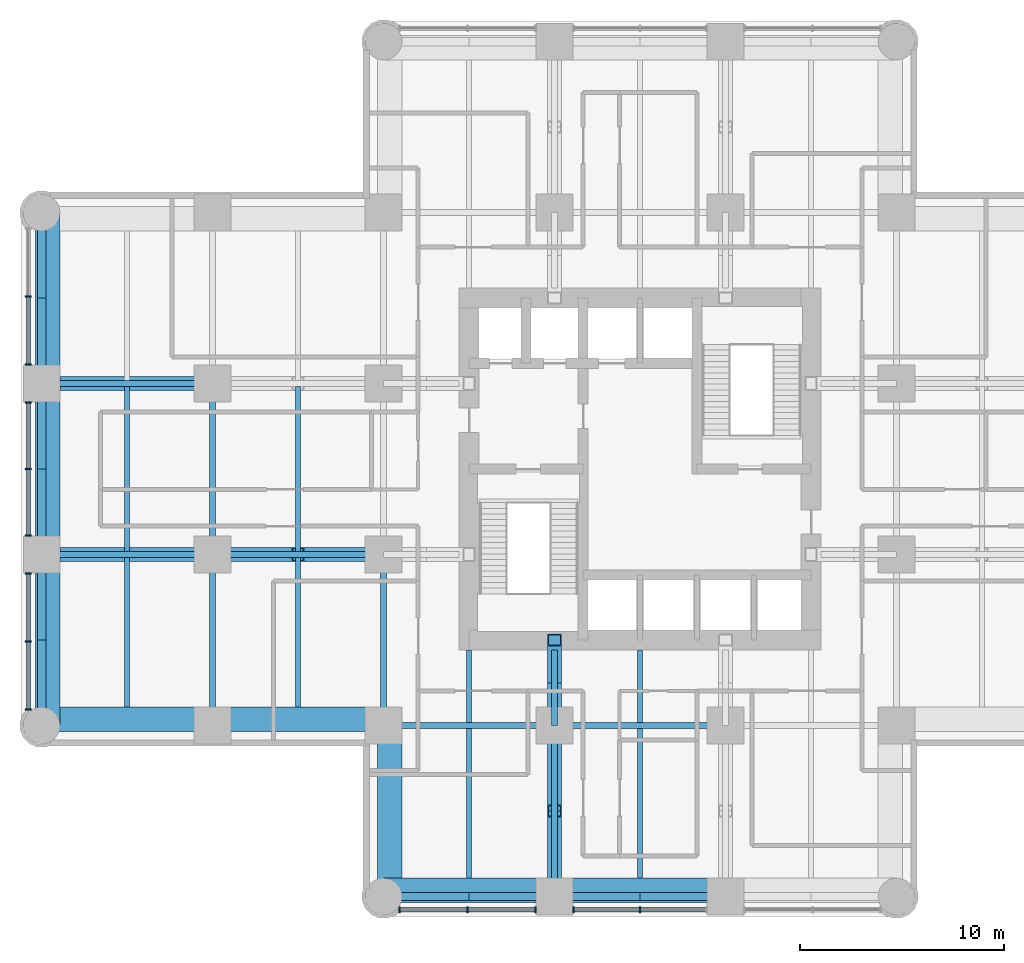
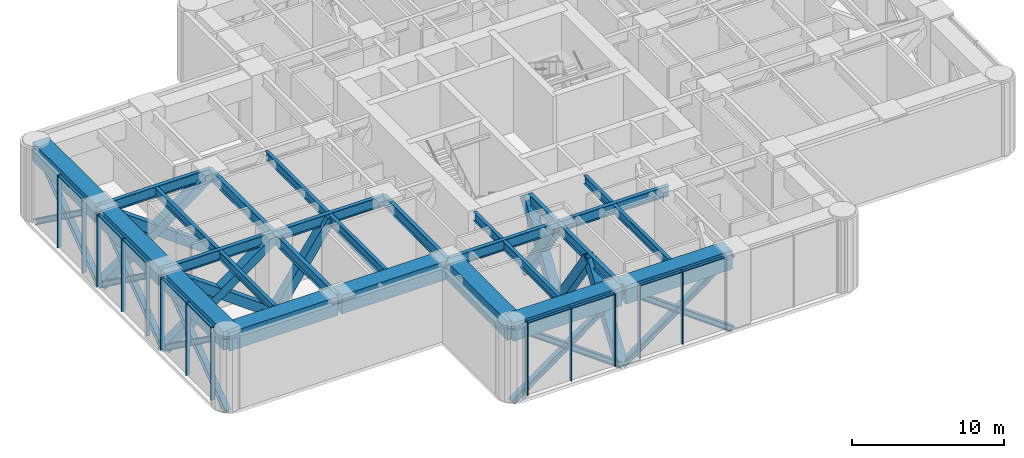
# One storey, part 2 of 13: 42 members, 26 beams, 2 elements without a shape of their own.
"""IFC4 building model written with IfcOpenShell, lengths in metres."""

from ifc_helpers import new_model, si_unit, direction, frame, origin, origin_2d, place, context, subcontext, project, spatial, rectangle, hollow_rectangle, i_section, extrude, material, material_profile, profile_set, type_object, element, aggregate, save


model = new_model("IFC4")

# Units and contexts
model_context = context("Model", 3, precision=1e-05, world=origin(), true_north=direction((0.0, 1.0)))
body_context = subcontext(model_context, "Body", "Model", "MODEL_VIEW")
ifc_project = project(units=[si_unit("LENGTHUNIT", "METRE"), si_unit("AREAUNIT", "SQUARE_METRE"), si_unit("VOLUMEUNIT", "CUBIC_METRE"), si_unit("PLANEANGLEUNIT", "RADIAN"), si_unit("MASSUNIT", "GRAM", prefix="KILO")], contexts=[model_context])

# Site, building, storey
site_placement = place(None, origin())
site = spatial("IfcSite", under=ifc_project, at=site_placement, CompositionType="ELEMENT")
building_placement = place(site_placement, origin())
building = spatial("IfcBuilding", under=site, at=building_placement, Name="Torre Alcanfor", CompositionType="ELEMENT")
storey_placement = place(building_placement, frame((0.0, 0.0, 177.300048828125)))
storey = spatial("IfcBuildingStorey", under=building, at=storey_placement, Name="L46", CompositionType="ELEMENT", Elevation=177.300048828125)

# Members
ifc_material_1 = material(Name="Steel ASTM A992 Grade 50", Category="steel")
ifc_material_profile_1 = material_profile(ifc_material_1, i_section(OverallWidth=0.411376953125, OverallDepth=0.434326171875, WebThickness=0.035888671875, FlangeThickness=0.057373046875, at=origin_2d()), Name="W14x311")
ifc_profile_set_1 = profile_set([ifc_material_profile_1], Name="Steel ASTM A992 Grade 50")
member_type_1 = type_object("IfcMemberType", Name="Belt truss diagonal W14x311", PredefinedType="BRACE", material=ifc_profile_set_1)
for number, where, z_axis, x_axis, name in (
    (1, (16.800048828125, 8.39990234375, -0.650146484375), (0.809144712888, 0.0, 0.587609422665), (0.0, 1.0, 0.0), "Belt truss L46 S arm panel 1 diagonal A"),
    (2, (25.199951171875, 8.39990234375, -0.650146484375), (-0.809144712888, 0.0, 0.587609422665), (0.0, -1.0, 0.0), "Belt truss L46 S arm panel 1 diagonal B"),
):
    element("IfcMember", number, at=place(storey_placement, frame(where, z_axis=z_axis, x_axis=x_axis)), inside=storey, type_object=member_type_1, Name=name, PredefinedType="BRACE", context=body_context, shape_type="SweptSolid", body=[
        extrude(i_section(OverallWidth=0.411376953125, OverallDepth=0.434326171875, WebThickness=0.035888671875, FlangeThickness=0.057373046875, at=origin_2d()), origin(), (0.0, 0.0, 1.0), 10.381103515625),
    ])
for number, where, z_axis, x_axis, name in (
    (3, (25.199951171875, 8.39990234375, -0.650146484375), (0.809152832909, 0.0, 0.587598241144), (0.0, 1.0, 0.0), "Belt truss L46 S arm panel 2 diagonal A"),
    (4, (33.60009765625, 8.39990234375, -0.650146484375), (-0.809152832909, 0.0, 0.587598241144), (0.0, -1.0, 0.0), "Belt truss L46 S arm panel 2 diagonal B"),
):
    element("IfcMember", number, at=place(storey_placement, frame(where, z_axis=z_axis, x_axis=x_axis)), inside=storey, type_object=member_type_1, Name=name, PredefinedType="BRACE", context=body_context, shape_type="SweptSolid", body=[
        extrude(i_section(OverallWidth=0.411376953125, OverallDepth=0.434326171875, WebThickness=0.035888671875, FlangeThickness=0.057373046875, at=origin_2d()), origin(), (0.0, 0.0, 1.0), 10.38134765625),
    ])
for number, where, z_axis, x_axis, name in (
    (5, (0.0, 16.800048828125, -0.650146484375), (0.0, 0.809144712888, 0.587609422665), (-1.0, 0.0, 0.0), "Belt truss L46 W arm panel 1 diagonal A"),
    (6, (0.0, 25.199951171875, -0.650146484375), (0.0, -0.809144712888, 0.587609422665), (1.0, 0.0, 0.0), "Belt truss L46 W arm panel 1 diagonal B"),
):
    element("IfcMember", number, at=place(storey_placement, frame(where, z_axis=z_axis, x_axis=x_axis)), inside=storey, type_object=member_type_1, Name=name, PredefinedType="BRACE", context=body_context, shape_type="SweptSolid", body=[
        extrude(i_section(OverallWidth=0.411376953125, OverallDepth=0.434326171875, WebThickness=0.035888671875, FlangeThickness=0.057373046875, at=origin_2d()), origin(), (0.0, 0.0, 1.0), 10.381103515625),
    ])
for number, where, z_axis, x_axis, name in (
    (7, (0.0, 25.199951171875, -0.650146484375), (0.0, 0.809152832909, 0.587598241144), (-1.0, 0.0, 0.0), "Belt truss L46 W arm panel 2 diagonal A"),
    (8, (0.0, 33.60009765625, -0.650146484375), (0.0, -0.809152832909, 0.587598241144), (1.0, 0.0, 0.0), "Belt truss L46 W arm panel 2 diagonal B"),
):
    element("IfcMember", number, at=place(storey_placement, frame(where, z_axis=z_axis, x_axis=x_axis)), inside=storey, type_object=member_type_1, Name=name, PredefinedType="BRACE", context=body_context, shape_type="SweptSolid", body=[
        extrude(i_section(OverallWidth=0.411376953125, OverallDepth=0.434326171875, WebThickness=0.035888671875, FlangeThickness=0.057373046875, at=origin_2d()), origin(), (0.0, 0.0, 1.0), 10.38134765625),
    ])
for number, where, z_axis, x_axis, name in (
    (9, (0.0, 33.60009765625, -0.650146484375), (0.0, 0.809144712888, 0.587609422665), (-1.0, 0.0, 0.0), "Belt truss L46 W arm panel 3 diagonal A"),
    (10, (0.0, 42.0, -0.650146484375), (0.0, -0.809144712888, 0.587609422665), (1.0, 0.0, 0.0), "Belt truss L46 W arm panel 3 diagonal B"),
):
    element("IfcMember", number, at=place(storey_placement, frame(where, z_axis=z_axis, x_axis=x_axis)), inside=storey, type_object=member_type_1, Name=name, PredefinedType="BRACE", context=body_context, shape_type="SweptSolid", body=[
        extrude(i_section(OverallWidth=0.411376953125, OverallDepth=0.434326171875, WebThickness=0.035888671875, FlangeThickness=0.057373046875, at=origin_2d()), origin(), (0.0, 0.0, 1.0), 10.381103515625),
    ])

# Curtain wall, members
ifc_material_2 = material(Name="Aluminium and glass", Category="aluminium")
curtain_wall_type = type_object("IfcCurtainWallType", Name="CW-D plant floor louvre screen", PredefinedType="NOTDEFINED", material=ifc_material_2)
curtain_wall_1_placement = place(storey_placement, origin())
curtain_wall_1 = element("IfcCurtainWall", 11, at=curtain_wall_1_placement, inside=storey, type_object=curtain_wall_type, Name="Curtain wall CW-D L46 2", PredefinedType="NOTDEFINED")
ifc_material_3 = material(Name="Extruded aluminium", Category="aluminium")
ifc_material_profile_2 = material_profile(ifc_material_3, rectangle(XDim=0.300048828125, YDim=0.06494140625, at=origin_2d()), Name="CW-D mullion 65x300")
ifc_profile_set_2 = profile_set([ifc_material_profile_2], Name="Extruded aluminium")
member_type_2 = type_object("IfcMemberType", Name="CW-D mullion 65x300", PredefinedType="MULLION", material=ifc_profile_set_2)
member_1_placement = place(storey_placement, frame((-0.64990234375, 37.875244140625, 0.0), z_axis=(0.0, 0.0, 1.0), x_axis=(1.0, 0.0, 0.0)))
member_1 = element("IfcMember", 12, at=member_1_placement, type_object=member_type_2, Name="CW-D mullion 1.2", PredefinedType="MULLION", context=body_context, shape_type="SweptSolid", body=[
    extrude(rectangle(XDim=0.300048828125, YDim=0.06494140625, at=origin_2d()), origin(), (0.0, 0.0, 1.0), 5.849853515625),
])
member_2_placement = place(storey_placement, frame((-0.64990234375, 34.53759765625, 0.0), z_axis=(0.0, 0.0, 1.0), x_axis=(1.0, 0.0, 0.0)))
member_2 = element("IfcMember", 13, at=member_2_placement, type_object=member_type_2, Name="CW-D mullion 1.3", PredefinedType="MULLION", context=body_context, shape_type="SweptSolid", body=[
    extrude(rectangle(XDim=0.300048828125, YDim=0.06494140625, at=origin_2d()), origin(), (0.0, 0.0, 1.0), 5.849853515625),
])
member_3_placement = place(storey_placement, frame((-0.64990234375, 32.66259765625, 0.0), z_axis=(0.0, 0.0, 1.0), x_axis=(1.0, 0.0, 0.0)))
member_3 = element("IfcMember", 14, at=member_3_placement, type_object=member_type_2, Name="CW-D mullion 2.1", PredefinedType="MULLION", context=body_context, shape_type="SweptSolid", body=[
    extrude(rectangle(XDim=0.300048828125, YDim=0.06494140625, at=origin_2d()), origin(), (0.0, 0.0, 1.0), 5.849853515625),
])
member_4_placement = place(storey_placement, frame((-0.64990234375, 29.39990234375, 0.0), z_axis=(0.0, 0.0, 1.0), x_axis=(1.0, 0.0, 0.0)))
member_4 = element("IfcMember", 15, at=member_4_placement, type_object=member_type_2, Name="CW-D mullion 2.2", PredefinedType="MULLION", context=body_context, shape_type="SweptSolid", body=[
    extrude(rectangle(XDim=0.300048828125, YDim=0.06494140625, at=origin_2d()), origin(), (0.0, 0.0, 1.0), 5.849853515625),
])
member_5_placement = place(storey_placement, frame((-0.64990234375, 26.137451171875, 0.0), z_axis=(0.0, 0.0, 1.0), x_axis=(1.0, 0.0, 0.0)))
member_5 = element("IfcMember", 16, at=member_5_placement, type_object=member_type_2, Name="CW-D mullion 2.3", PredefinedType="MULLION", context=body_context, shape_type="SweptSolid", body=[
    extrude(rectangle(XDim=0.300048828125, YDim=0.06494140625, at=origin_2d()), origin(), (0.0, 0.0, 1.0), 5.849853515625),
])
member_6_placement = place(storey_placement, frame((-0.64990234375, 24.262451171875, 0.0), z_axis=(0.0, 0.0, 1.0), x_axis=(1.0, 0.0, 0.0)))
member_6 = element("IfcMember", 17, at=member_6_placement, type_object=member_type_2, Name="CW-D mullion 3.1", PredefinedType="MULLION", context=body_context, shape_type="SweptSolid", body=[
    extrude(rectangle(XDim=0.300048828125, YDim=0.06494140625, at=origin_2d()), origin(), (0.0, 0.0, 1.0), 5.849853515625),
])
member_7_placement = place(storey_placement, frame((-0.64990234375, 20.924560546875, 0.0), z_axis=(0.0, 0.0, 1.0), x_axis=(1.0, 0.0, 0.0)))
member_7 = element("IfcMember", 18, at=member_7_placement, type_object=member_type_2, Name="CW-D mullion 3.2", PredefinedType="MULLION", context=body_context, shape_type="SweptSolid", body=[
    extrude(rectangle(XDim=0.300048828125, YDim=0.06494140625, at=origin_2d()), origin(), (0.0, 0.0, 1.0), 5.849853515625),
])
member_8_placement = place(storey_placement, frame((-0.64990234375, 17.5869140625, 0.0), z_axis=(0.0, 0.0, 1.0), x_axis=(1.0, 0.0, 0.0)))
member_8 = element("IfcMember", 19, at=member_8_placement, type_object=member_type_2, Name="CW-D mullion 3.3", PredefinedType="MULLION", context=body_context, shape_type="SweptSolid", body=[
    extrude(rectangle(XDim=0.300048828125, YDim=0.06494140625, at=origin_2d()), origin(), (0.0, 0.0, 1.0), 5.849853515625),
])

curtain_wall_2_placement = place(storey_placement, origin())
curtain_wall_2 = element("IfcCurtainWall", 20, at=curtain_wall_2_placement, inside=storey, type_object=curtain_wall_type, Name="Curtain wall CW-D L46 5", PredefinedType="NOTDEFINED")
member_9_placement = place(storey_placement, frame((17.5869140625, 7.75, 0.0), z_axis=(0.0, 0.0, 1.0), x_axis=(0.0, 1.0, 0.0)))
member_9 = element("IfcMember", 21, at=member_9_placement, type_object=member_type_2, Name="CW-D mullion 1.1", PredefinedType="MULLION", context=body_context, shape_type="SweptSolid", body=[
    extrude(rectangle(XDim=0.300048828125, YDim=0.06494140625, at=origin_2d()), origin(), (0.0, 0.0, 1.0), 5.849853515625),
])
member_10_placement = place(storey_placement, frame((20.924560546875, 7.75, 0.0), z_axis=(0.0, 0.0, 1.0), x_axis=(0.0, 1.0, 0.0)))
member_10 = element("IfcMember", 22, at=member_10_placement, type_object=member_type_2, Name="CW-D mullion 1.2", PredefinedType="MULLION", context=body_context, shape_type="SweptSolid", body=[
    extrude(rectangle(XDim=0.300048828125, YDim=0.06494140625, at=origin_2d()), origin(), (0.0, 0.0, 1.0), 5.849853515625),
])
member_11_placement = place(storey_placement, frame((24.262451171875, 7.75, 0.0), z_axis=(0.0, 0.0, 1.0), x_axis=(0.0, 1.0, 0.0)))
member_11 = element("IfcMember", 23, at=member_11_placement, type_object=member_type_2, Name="CW-D mullion 1.3", PredefinedType="MULLION", context=body_context, shape_type="SweptSolid", body=[
    extrude(rectangle(XDim=0.300048828125, YDim=0.06494140625, at=origin_2d()), origin(), (0.0, 0.0, 1.0), 5.849853515625),
])
member_12_placement = place(storey_placement, frame((26.137451171875, 7.75, 0.0), z_axis=(0.0, 0.0, 1.0), x_axis=(0.0, 1.0, 0.0)))
member_12 = element("IfcMember", 24, at=member_12_placement, type_object=member_type_2, Name="CW-D mullion 2.1", PredefinedType="MULLION", context=body_context, shape_type="SweptSolid", body=[
    extrude(rectangle(XDim=0.300048828125, YDim=0.06494140625, at=origin_2d()), origin(), (0.0, 0.0, 1.0), 5.849853515625),
])
member_13_placement = place(storey_placement, frame((29.39990234375, 7.75, 0.0), z_axis=(0.0, 0.0, 1.0), x_axis=(0.0, 1.0, 0.0)))
member_13 = element("IfcMember", 25, at=member_13_placement, type_object=member_type_2, Name="CW-D mullion 2.2", PredefinedType="MULLION", context=body_context, shape_type="SweptSolid", body=[
    extrude(rectangle(XDim=0.300048828125, YDim=0.06494140625, at=origin_2d()), origin(), (0.0, 0.0, 1.0), 5.849853515625),
])

# Member
ifc_material_4 = material(Name="Extruded aluminium", Category="aluminium")
ifc_material_profile_3 = material_profile(ifc_material_4, rectangle(XDim=0.199951171875, YDim=0.06494140625, at=origin_2d()), Name="CW-D transom 200x65")
ifc_profile_set_3 = profile_set([ifc_material_profile_3], Name="Extruded aluminium")
member_type_3 = type_object("IfcMemberType", Name="CW-D transom 65x200", PredefinedType="USERDEFINED", material=ifc_profile_set_3)
member_14_placement = place(storey_placement, frame((-0.64990234375, 37.8427734375, 5.8173828125), z_axis=(0.0, -1.0, 0.0), x_axis=(1.0, 0.0, 0.0)))
member_14 = element("IfcMember", 26, at=member_14_placement, type_object=member_type_3, Name="CW-D transom 1.2.2", ObjectType="TRANSOM", PredefinedType="USERDEFINED", context=body_context, shape_type="SweptSolid", body=[
    extrude(rectangle(XDim=0.199951171875, YDim=0.06494140625, at=origin_2d()), origin(), (0.0, 0.0, 1.0), 3.272705078125),
])

member_15_placement = place(storey_placement, frame((-0.64990234375, 32.6298828125, 5.8173828125), z_axis=(0.0, -1.0, 0.0), x_axis=(1.0, 0.0, 0.0)))
member_15 = element("IfcMember", 27, at=member_15_placement, type_object=member_type_3, Name="CW-D transom 2.1.2", ObjectType="TRANSOM", PredefinedType="USERDEFINED", context=body_context, shape_type="SweptSolid", body=[
    extrude(rectangle(XDim=0.199951171875, YDim=0.06494140625, at=origin_2d()), origin(), (0.0, 0.0, 1.0), 3.197265625),
])

member_16_placement = place(storey_placement, frame((-0.64990234375, 29.367431640625, 5.8173828125), z_axis=(0.0, -1.0, 0.0), x_axis=(1.0, 0.0, 0.0)))
member_16 = element("IfcMember", 28, at=member_16_placement, type_object=member_type_3, Name="CW-D transom 2.2.2", ObjectType="TRANSOM", PredefinedType="USERDEFINED", context=body_context, shape_type="SweptSolid", body=[
    extrude(rectangle(XDim=0.199951171875, YDim=0.06494140625, at=origin_2d()), origin(), (0.0, 0.0, 1.0), 3.197509765625),
])

member_17_placement = place(storey_placement, frame((-0.64990234375, 24.22998046875, 5.8173828125), z_axis=(0.0, -1.0, 0.0), x_axis=(1.0, 0.0, 0.0)))
member_17 = element("IfcMember", 29, at=member_17_placement, type_object=member_type_3, Name="CW-D transom 3.1.2", ObjectType="TRANSOM", PredefinedType="USERDEFINED", context=body_context, shape_type="SweptSolid", body=[
    extrude(rectangle(XDim=0.199951171875, YDim=0.06494140625, at=origin_2d()), origin(), (0.0, 0.0, 1.0), 3.27294921875),
])

member_18_placement = place(storey_placement, frame((-0.64990234375, 20.89208984375, 5.8173828125), z_axis=(0.0, -1.0, 0.0), x_axis=(1.0, 0.0, 0.0)))
member_18 = element("IfcMember", 30, at=member_18_placement, type_object=member_type_3, Name="CW-D transom 3.2.2", ObjectType="TRANSOM", PredefinedType="USERDEFINED", context=body_context, shape_type="SweptSolid", body=[
    extrude(rectangle(XDim=0.199951171875, YDim=0.06494140625, at=origin_2d()), origin(), (0.0, 0.0, 1.0), 3.272705078125),
])

aggregate(curtain_wall_1, [member_1, member_2, member_14, member_3, member_4, member_5, member_15, member_16, member_6, member_7, member_8, member_17, member_18])

member_19_placement = place(storey_placement, frame((17.619384765625, 7.75, 5.8173828125), z_axis=(1.0, 0.0, 0.0), x_axis=(0.0, 1.0, 0.0)))
member_19 = element("IfcMember", 31, at=member_19_placement, type_object=member_type_3, Name="CW-D transom 1.1.2", ObjectType="TRANSOM", PredefinedType="USERDEFINED", context=body_context, shape_type="SweptSolid", body=[
    extrude(rectangle(XDim=0.199951171875, YDim=0.06494140625, at=origin_2d()), origin(), (0.0, 0.0, 1.0), 3.272705078125),
])

member_20_placement = place(storey_placement, frame((20.95703125, 7.75, 5.8173828125), z_axis=(1.0, 0.0, 0.0), x_axis=(0.0, 1.0, 0.0)))
member_20 = element("IfcMember", 32, at=member_20_placement, type_object=member_type_3, Name="CW-D transom 1.2.2", ObjectType="TRANSOM", PredefinedType="USERDEFINED", context=body_context, shape_type="SweptSolid", body=[
    extrude(rectangle(XDim=0.199951171875, YDim=0.06494140625, at=origin_2d()), origin(), (0.0, 0.0, 1.0), 3.27294921875),
])

member_21_placement = place(storey_placement, frame((26.169921875, 7.75, 5.8173828125), z_axis=(1.0, 0.0, 0.0), x_axis=(0.0, 1.0, 0.0)))
member_21 = element("IfcMember", 33, at=member_21_placement, type_object=member_type_3, Name="CW-D transom 2.1.2", ObjectType="TRANSOM", PredefinedType="USERDEFINED", context=body_context, shape_type="SweptSolid", body=[
    extrude(rectangle(XDim=0.199951171875, YDim=0.06494140625, at=origin_2d()), origin(), (0.0, 0.0, 1.0), 3.197509765625),
])

member_22_placement = place(storey_placement, frame((29.4326171875, 7.75, 5.8173828125), z_axis=(1.0, 0.0, 0.0), x_axis=(0.0, 1.0, 0.0)))
member_22 = element("IfcMember", 34, at=member_22_placement, type_object=member_type_3, Name="CW-D transom 2.2.2", ObjectType="TRANSOM", PredefinedType="USERDEFINED", context=body_context, shape_type="SweptSolid", body=[
    extrude(rectangle(XDim=0.199951171875, YDim=0.06494140625, at=origin_2d()), origin(), (0.0, 0.0, 1.0), 3.197265625),
])

aggregate(curtain_wall_2, [member_9, member_10, member_11, member_19, member_20, member_12, member_13, member_21, member_22])

# Beams
ifc_material_5 = material(Name="Steel ASTM A992 Grade 50", Category="steel")
ifc_material_profile_4 = material_profile(ifc_material_5, i_section(OverallWidth=0.2919921875, OverallDepth=0.8408203125, WebThickness=0.0146484375, FlangeThickness=0.021728515625, at=origin_2d()), Name="W33x130")
ifc_profile_set_4 = profile_set([ifc_material_profile_4], Name="Steel ASTM A992 Grade 50")
beam_type_1 = type_object("IfcBeamType", Name="Girder W33x130", PredefinedType="BEAM", material=ifc_profile_set_4)
beam_1_placement = place(storey_placement, frame((16.800048828125, 16.800048828125, 5.4296875), z_axis=(1.0, 0.0, 0.0), x_axis=(0.0, 1.0, 0.0)))
element("IfcBeam", 35, at=beam_1_placement, inside=storey, type_object=beam_type_1, Name="Beam 3E-4E under L47", PredefinedType="BEAM", context=body_context, shape_type="SweptSolid", body=[
    extrude(i_section(OverallWidth=0.2919921875, OverallDepth=0.8408203125, WebThickness=0.0146484375, FlangeThickness=0.021728515625, at=origin_2d()), origin(), (0.0, 0.0, 1.0), 8.39990234375),
])
beam_2_placement = place(storey_placement, frame((25.199951171875, 16.800048828125, 5.4296875), z_axis=(1.0, 0.0, 0.0), x_axis=(0.0, 1.0, 0.0)))
element("IfcBeam", 36, at=beam_2_placement, inside=storey, type_object=beam_type_1, Name="Beam 4E-5E under L47", PredefinedType="BEAM", context=body_context, shape_type="SweptSolid", body=[
    extrude(i_section(OverallWidth=0.2919921875, OverallDepth=0.8408203125, WebThickness=0.0146484375, FlangeThickness=0.021728515625, at=origin_2d()), origin(), (0.0, 0.0, 1.0), 8.400146484375),
])
beam_3_placement = place(storey_placement, frame((0.0, 25.199951171875, 5.4296875), z_axis=(1.0, 0.0, 0.0), x_axis=(0.0, 1.0, 0.0)))
element("IfcBeam", 37, at=beam_3_placement, inside=storey, type_object=beam_type_1, Name="Beam 1F-2F under L47", PredefinedType="BEAM", context=body_context, shape_type="SweptSolid", body=[
    extrude(i_section(OverallWidth=0.2919921875, OverallDepth=0.8408203125, WebThickness=0.0146484375, FlangeThickness=0.021728515625, at=origin_2d()), origin(), (0.0, 0.0, 1.0), 8.39990234375),
])
beam_4_placement = place(storey_placement, frame((8.39990234375, 25.199951171875, 5.4296875), z_axis=(1.0, 0.0, 0.0), x_axis=(0.0, 1.0, 0.0)))
element("IfcBeam", 38, at=beam_4_placement, inside=storey, type_object=beam_type_1, Name="Beam 2F-3F under L47", PredefinedType="BEAM", context=body_context, shape_type="SweptSolid", body=[
    extrude(i_section(OverallWidth=0.2919921875, OverallDepth=0.8408203125, WebThickness=0.0146484375, FlangeThickness=0.021728515625, at=origin_2d()), origin(), (0.0, 0.0, 1.0), 8.400146484375),
])
for number, where, z_axis, x_axis, name in (
    (39, (0.0, 33.60009765625, 5.4296875), (1.0, 0.0, 0.0), (0.0, 1.0, 0.0), "Beam 1G-2G under L47"),
    (40, (8.39990234375, 16.800048828125, 5.4296875), (0.0, 1.0, 0.0), (-1.0, 0.0, 0.0), "Beam 2E-2F under L47"),
):
    element("IfcBeam", number, at=place(storey_placement, frame(where, z_axis=z_axis, x_axis=x_axis)), inside=storey, type_object=beam_type_1, Name=name, PredefinedType="BEAM", context=body_context, shape_type="SweptSolid", body=[
        extrude(i_section(OverallWidth=0.2919921875, OverallDepth=0.8408203125, WebThickness=0.0146484375, FlangeThickness=0.021728515625, at=origin_2d()), origin(), (0.0, 0.0, 1.0), 8.39990234375),
    ])
beam_5_placement = place(storey_placement, frame((8.39990234375, 25.199951171875, 5.4296875), z_axis=(0.0, 1.0, 0.0), x_axis=(-1.0, 0.0, 0.0)))
element("IfcBeam", 41, at=beam_5_placement, inside=storey, type_object=beam_type_1, Name="Beam 2F-2G under L47", PredefinedType="BEAM", context=body_context, shape_type="SweptSolid", body=[
    extrude(i_section(OverallWidth=0.2919921875, OverallDepth=0.8408203125, WebThickness=0.0146484375, FlangeThickness=0.021728515625, at=origin_2d()), origin(), (0.0, 0.0, 1.0), 8.400146484375),
])
beam_6_placement = place(storey_placement, frame((16.800048828125, 16.800048828125, 5.4296875), z_axis=(0.0, 1.0, 0.0), x_axis=(-1.0, 0.0, 0.0)))
element("IfcBeam", 42, at=beam_6_placement, inside=storey, type_object=beam_type_1, Name="Beam 3E-3F under L47", PredefinedType="BEAM", context=body_context, shape_type="SweptSolid", body=[
    extrude(i_section(OverallWidth=0.2919921875, OverallDepth=0.8408203125, WebThickness=0.0146484375, FlangeThickness=0.021728515625, at=origin_2d()), origin(), (0.0, 0.0, 1.0), 8.39990234375),
])
beam_7_placement = place(storey_placement, frame((25.199951171875, 8.39990234375, 5.4296875), z_axis=(0.0, 1.0, 0.0), x_axis=(-1.0, 0.0, 0.0)))
element("IfcBeam", 43, at=beam_7_placement, inside=storey, type_object=beam_type_1, Name="Beam 4D-4E under L47", PredefinedType="BEAM", context=body_context, shape_type="SweptSolid", body=[
    extrude(i_section(OverallWidth=0.2919921875, OverallDepth=0.8408203125, WebThickness=0.0146484375, FlangeThickness=0.021728515625, at=origin_2d()), origin(), (0.0, 0.0, 1.0), 8.400146484375),
])
ifc_material_6 = material(Name="Steel ASTM A992 Grade 50", Category="steel")
ifc_material_profile_5 = material_profile(ifc_material_6, i_section(OverallWidth=0.2919921875, OverallDepth=0.8408203125, WebThickness=0.0146484375, FlangeThickness=0.021728515625, at=origin_2d()), Name="W33x130")
ifc_profile_set_5 = profile_set([ifc_material_profile_5], Name="Steel ASTM A992 Grade 50")
beam_type_2 = type_object("IfcBeamType", Name="Girder, part bay W33x130", PredefinedType="BEAM", material=ifc_profile_set_5)
beam_8_placement = place(storey_placement, frame((25.199951171875, 16.800048828125, 5.4296875), z_axis=(0.0, 1.0, 0.0), x_axis=(-1.0, 0.0, 0.0)))
element("IfcBeam", 44, at=beam_8_placement, inside=storey, type_object=beam_type_2, Name="Beam 4E-420_5 under L47", PredefinedType="BEAM", context=body_context, shape_type="SweptSolid", body=[
    extrude(i_section(OverallWidth=0.2919921875, OverallDepth=0.8408203125, WebThickness=0.0146484375, FlangeThickness=0.021728515625, at=origin_2d()), origin(), (0.0, 0.0, 1.0), 3.699951171875),
])

# Members
ifc_material_7 = material(Name="Steel ASTM A572 Grade 50 plate", Category="steel")
ifc_material_profile_6 = material_profile(ifc_material_7, hollow_rectangle(XDim=0.699951171875, YDim=0.699951171875, WallThickness=0.050048828125, at=origin_2d()), Name="BOX 700x700x50")
ifc_profile_set_6 = profile_set([ifc_material_profile_6], Name="Steel ASTM A572 Grade 50 plate")
member_type_4 = type_object("IfcMemberType", Name="Outrigger truss diagonal BOx700x700x50", PredefinedType="BRACE", material=ifc_profile_set_6)
for number, where, z_axis, x_axis, name in (
    (45, (25.199951171875, 21.0, -0.650146484375), (0.0, -0.567091101321, 0.823655075139), (1.0, 0.0, 0.0), "Outrigger truss L46 S arm grid 25.2 panel 1 diagonal A"),
    (46, (25.199951171875, 16.800048828125, -0.650146484375), (0.0, 0.567091101321, 0.823655075139), (-1.0, 0.0, 0.0), "Outrigger truss L46 S arm grid 25.2 panel 1 diagonal B"),
    (47, (25.199951171875, 16.800048828125, -0.650146484375), (0.0, -0.567091101321, 0.823655075139), (1.0, 0.0, 0.0), "Outrigger truss L46 S arm grid 25.2 panel 2 diagonal A"),
    (48, (25.199951171875, 8.39990234375, -0.650146484375), (0.0, 0.567113464175, 0.823639677742), (-1.0, 0.0, 0.0), "Outrigger truss L46 S arm grid 25.2 panel 2 diagonal B"),
    (49, (16.800048828125, 25.199951171875, -0.650146484375), (-0.567091101321, 0.0, 0.823655075139), (0.0, -1.0, 0.0), "Outrigger truss L46 W arm grid 25.2 panel 2 diagonal A"),
    (50, (8.39990234375, 25.199951171875, -0.650146484375), (0.567113464175, 0.0, 0.823639677742), (0.0, 1.0, 0.0), "Outrigger truss L46 W arm grid 25.2 panel 2 diagonal B"),
):
    element("IfcMember", number, at=place(storey_placement, frame(where, z_axis=z_axis, x_axis=x_axis)), inside=storey, type_object=member_type_4, Name=name, PredefinedType="BRACE", context=body_context, shape_type="SweptSolid", body=[
        extrude(hollow_rectangle(XDim=0.699951171875, YDim=0.699951171875, WallThickness=0.050048828125, at=origin_2d()), origin(), (0.0, 0.0, 1.0), 7.40625),
    ])
for number, where, z_axis, x_axis, name in (
    (51, (8.39990234375, 25.199951171875, -0.650146484375), (-0.809144712888, 0.0, 0.587609422665), (0.0, -1.0, 0.0), "Outrigger truss L46 W arm grid 25.2 panel 3 diagonal A"),
    (52, (0.0, 25.199951171875, -0.650146484375), (0.809144712888, 0.0, 0.587609422665), (0.0, 1.0, 0.0), "Outrigger truss L46 W arm grid 25.2 panel 3 diagonal B"),
    (53, (8.39990234375, 33.60009765625, -0.650146484375), (-0.809144712888, 0.0, 0.587609422665), (0.0, -1.0, 0.0), "Outrigger truss L46 W arm grid 33.6 panel 3 diagonal A"),
    (54, (0.0, 33.60009765625, -0.650146484375), (0.809144712888, 0.0, 0.587609422665), (0.0, 1.0, 0.0), "Outrigger truss L46 W arm grid 33.6 panel 3 diagonal B"),
):
    element("IfcMember", number, at=place(storey_placement, frame(where, z_axis=z_axis, x_axis=x_axis)), inside=storey, type_object=member_type_4, Name=name, PredefinedType="BRACE", context=body_context, shape_type="SweptSolid", body=[
        extrude(hollow_rectangle(XDim=0.699951171875, YDim=0.699951171875, WallThickness=0.050048828125, at=origin_2d()), origin(), (0.0, 0.0, 1.0), 10.381103515625),
    ])

# Beams
ifc_material_8 = material(Name="Concrete f'c 70 MPa", Category="concrete")
ifc_material_profile_7 = material_profile(ifc_material_8, rectangle(XDim=1.199951171875, YDim=1.5, at=origin_2d()), Name="1200x1500")
ifc_profile_set_7 = profile_set([ifc_material_profile_7], Name="Concrete f'c 70 MPa")
beam_type_3 = type_object("IfcBeamType", Name="RC perimeter beam 1200x1500", PredefinedType="BEAM", material=ifc_profile_set_7)
beam_9_placement = place(storey_placement, frame((16.800048828125, 8.699951171875, 5.099853515625), z_axis=(1.0, 0.0, 0.0), x_axis=(0.0, 1.0, 0.0)))
element("IfcBeam", 55, at=beam_9_placement, inside=storey, type_object=beam_type_3, Name="Beam 3D-4D under L47", PredefinedType="BEAM", context=body_context, shape_type="SweptSolid", body=[
    extrude(rectangle(XDim=1.199951171875, YDim=1.5, at=origin_2d()), origin(), (0.0, 0.0, 1.0), 8.25390625),
])
beam_10_placement = place(storey_placement, frame((25.345947265625, 8.699951171875, 5.099853515625), z_axis=(1.0, 0.0, 0.0), x_axis=(0.0, 1.0, 0.0)))
element("IfcBeam", 56, at=beam_10_placement, inside=storey, type_object=beam_type_3, Name="Beam 4D-5D under L47", PredefinedType="BEAM", context=body_context, shape_type="SweptSolid", body=[
    extrude(rectangle(XDim=1.199951171875, YDim=1.5, at=origin_2d()), origin(), (0.0, 0.0, 1.0), 8.108154296875),
])
beam_11_placement = place(storey_placement, frame((0.0, 17.10009765625, 5.099853515625), z_axis=(1.0, 0.0, 0.0), x_axis=(0.0, 1.0, 0.0)))
element("IfcBeam", 57, at=beam_11_placement, inside=storey, type_object=beam_type_3, Name="Beam 1E-2E under L47", PredefinedType="BEAM", context=body_context, shape_type="SweptSolid", body=[
    extrude(rectangle(XDim=1.199951171875, YDim=1.5, at=origin_2d()), origin(), (0.0, 0.0, 1.0), 8.25390625),
])
beam_12_placement = place(storey_placement, frame((8.5458984375, 17.10009765625, 5.099853515625), z_axis=(1.0, 0.0, 0.0), x_axis=(0.0, 1.0, 0.0)))
element("IfcBeam", 58, at=beam_12_placement, inside=storey, type_object=beam_type_3, Name="Beam 2E-3E under L47", PredefinedType="BEAM", context=body_context, shape_type="SweptSolid", body=[
    extrude(rectangle(XDim=1.199951171875, YDim=1.5, at=origin_2d()), origin(), (0.0, 0.0, 1.0), 8.108154296875),
])
beam_13_placement = place(storey_placement, frame((0.300048828125, 16.800048828125, 5.099853515625), z_axis=(0.0, 1.0, 0.0), x_axis=(-1.0, 0.0, 0.0)))
element("IfcBeam", 59, at=beam_13_placement, inside=storey, type_object=beam_type_3, Name="Beam 1E-1F under L47", PredefinedType="BEAM", context=body_context, shape_type="SweptSolid", body=[
    extrude(rectangle(XDim=1.199951171875, YDim=1.5, at=origin_2d()), origin(), (0.0, 0.0, 1.0), 8.25390625),
])
beam_14_placement = place(storey_placement, frame((0.300048828125, 25.345947265625, 5.099853515625), z_axis=(0.0, 1.0, 0.0), x_axis=(-1.0, 0.0, 0.0)))
element("IfcBeam", 60, at=beam_14_placement, inside=storey, type_object=beam_type_3, Name="Beam 1F-1G under L47", PredefinedType="BEAM", context=body_context, shape_type="SweptSolid", body=[
    extrude(rectangle(XDim=1.199951171875, YDim=1.5, at=origin_2d()), origin(), (0.0, 0.0, 1.0), 8.108154296875),
])
beam_15_placement = place(storey_placement, frame((0.300048828125, 33.74609375, 5.099853515625), z_axis=(0.0, 1.0, 0.0), x_axis=(-1.0, 0.0, 0.0)))
element("IfcBeam", 61, at=beam_15_placement, inside=storey, type_object=beam_type_3, Name="Beam 1G-1H under L47", PredefinedType="BEAM", context=body_context, shape_type="SweptSolid", body=[
    extrude(rectangle(XDim=1.199951171875, YDim=1.5, at=origin_2d()), origin(), (0.0, 0.0, 1.0), 8.25390625),
])
beam_16_placement = place(storey_placement, frame((17.10009765625, 8.39990234375, 5.099853515625), z_axis=(0.0, 1.0, 0.0), x_axis=(-1.0, 0.0, 0.0)))
element("IfcBeam", 62, at=beam_16_placement, inside=storey, type_object=beam_type_3, Name="Beam 3D-3E under L47", PredefinedType="BEAM", context=body_context, shape_type="SweptSolid", body=[
    extrude(rectangle(XDim=1.199951171875, YDim=1.5, at=origin_2d()), origin(), (0.0, 0.0, 1.0), 8.254150390625),
])
ifc_material_9 = material(Name="Steel ASTM A992 Grade 50", Category="steel")
ifc_material_profile_8 = material_profile(ifc_material_9, i_section(OverallWidth=0.25390625, OverallDepth=0.683349609375, WebThickness=0.012451171875, FlangeThickness=0.01904296875, at=origin_2d()), Name="W27x94")
ifc_profile_set_8 = profile_set([ifc_material_profile_8], Name="Steel ASTM A992 Grade 50")
beam_type_4 = type_object("IfcBeamType", Name="Secondary beam W27x94", PredefinedType="BEAM", material=ifc_profile_set_8)
beam_17_placement = place(storey_placement, frame((4.199951171875, 17.699951171875, 5.50830078125), z_axis=(0.0, 1.0, 0.0), x_axis=(-1.0, 0.0, 0.0)))
element("IfcBeam", 63, at=beam_17_placement, inside=storey, type_object=beam_type_4, Name="Beam 4_2E-4_2F under L47", PredefinedType="BEAM", context=body_context, shape_type="SweptSolid", body=[
    extrude(i_section(OverallWidth=0.25390625, OverallDepth=0.683349609375, WebThickness=0.012451171875, FlangeThickness=0.01904296875, at=origin_2d()), origin(), (0.0, 0.0, 1.0), 7.35400390625),
])
beam_18_placement = place(storey_placement, frame((4.199951171875, 25.345947265625, 5.50830078125), z_axis=(0.0, 1.0, 0.0), x_axis=(-1.0, 0.0, 0.0)))
element("IfcBeam", 64, at=beam_18_placement, inside=storey, type_object=beam_type_4, Name="Beam 4_2F-4_2G under L47", PredefinedType="BEAM", context=body_context, shape_type="SweptSolid", body=[
    extrude(i_section(OverallWidth=0.25390625, OverallDepth=0.683349609375, WebThickness=0.012451171875, FlangeThickness=0.01904296875, at=origin_2d()), origin(), (0.0, 0.0, 1.0), 8.108154296875),
])
beam_19_placement = place(storey_placement, frame((12.60009765625, 17.699951171875, 5.50830078125), z_axis=(0.0, 1.0, 0.0), x_axis=(-1.0, 0.0, 0.0)))
element("IfcBeam", 65, at=beam_19_placement, inside=storey, type_object=beam_type_4, Name="Beam 12_6E-12_6F under L47", PredefinedType="BEAM", context=body_context, shape_type="SweptSolid", body=[
    extrude(i_section(OverallWidth=0.25390625, OverallDepth=0.683349609375, WebThickness=0.012451171875, FlangeThickness=0.01904296875, at=origin_2d()), origin(), (0.0, 0.0, 1.0), 7.35400390625),
])
beam_20_placement = place(storey_placement, frame((12.60009765625, 25.345947265625, 5.50830078125), z_axis=(0.0, 1.0, 0.0), x_axis=(-1.0, 0.0, 0.0)))
element("IfcBeam", 66, at=beam_20_placement, inside=storey, type_object=beam_type_4, Name="Beam 12_6F-12_6G under L47", PredefinedType="BEAM", context=body_context, shape_type="SweptSolid", body=[
    extrude(i_section(OverallWidth=0.25390625, OverallDepth=0.683349609375, WebThickness=0.012451171875, FlangeThickness=0.01904296875, at=origin_2d()), origin(), (0.0, 0.0, 1.0), 8.108154296875),
])
for number, where, z_axis, x_axis, name in (
    (67, (21.0, 9.300048828125, 5.50830078125), (0.0, 1.0, 0.0), (-1.0, 0.0, 0.0), "Beam 21D-21E under L47"),
    (68, (29.39990234375, 9.300048828125, 5.50830078125), (0.0, 1.0, 0.0), (-1.0, 0.0, 0.0), "Beam 29_4D-29_4E under L47"),
):
    element("IfcBeam", number, at=place(storey_placement, frame(where, z_axis=z_axis, x_axis=x_axis)), inside=storey, type_object=beam_type_4, Name=name, PredefinedType="BEAM", context=body_context, shape_type="SweptSolid", body=[
        extrude(i_section(OverallWidth=0.25390625, OverallDepth=0.683349609375, WebThickness=0.012451171875, FlangeThickness=0.01904296875, at=origin_2d()), origin(), (0.0, 0.0, 1.0), 7.35400390625),
    ])
ifc_material_10 = material(Name="Steel ASTM A992 Grade 50", Category="steel")
ifc_material_profile_9 = material_profile(ifc_material_10, i_section(OverallWidth=0.25390625, OverallDepth=0.683349609375, WebThickness=0.012451171875, FlangeThickness=0.01904296875, at=origin_2d()), Name="W27x94")
ifc_profile_set_9 = profile_set([ifc_material_profile_9], Name="Steel ASTM A992 Grade 50")
beam_type_5 = type_object("IfcBeamType", Name="Secondary beam, part bay W27x94", PredefinedType="BEAM", material=ifc_profile_set_9)
for number, where, z_axis, x_axis, name in (
    (69, (21.0, 16.946044921875, 5.50830078125), (0.0, 1.0, 0.0), (-1.0, 0.0, 0.0), "Beam 21E-2120_5 under L47"),
    (70, (29.39990234375, 16.946044921875, 5.50830078125), (0.0, 1.0, 0.0), (-1.0, 0.0, 0.0), "Beam 29_4E-29_420_5 under L47"),
):
    element("IfcBeam", number, at=place(storey_placement, frame(where, z_axis=z_axis, x_axis=x_axis)), inside=storey, type_object=beam_type_5, Name=name, PredefinedType="BEAM", context=body_context, shape_type="SweptSolid", body=[
        extrude(i_section(OverallWidth=0.25390625, OverallDepth=0.683349609375, WebThickness=0.012451171875, FlangeThickness=0.01904296875, at=origin_2d()), origin(), (0.0, 0.0, 1.0), 3.553955078125),
    ])

save(model, "model.ifc")
